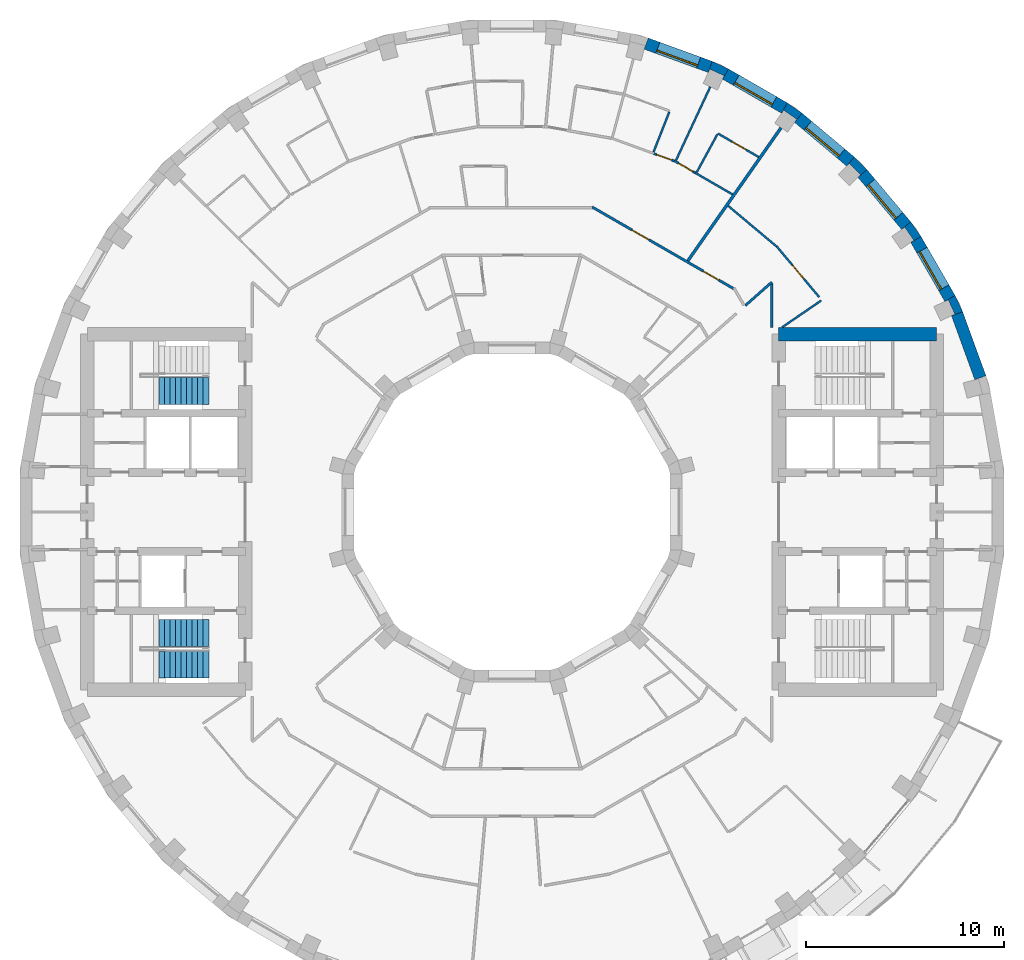
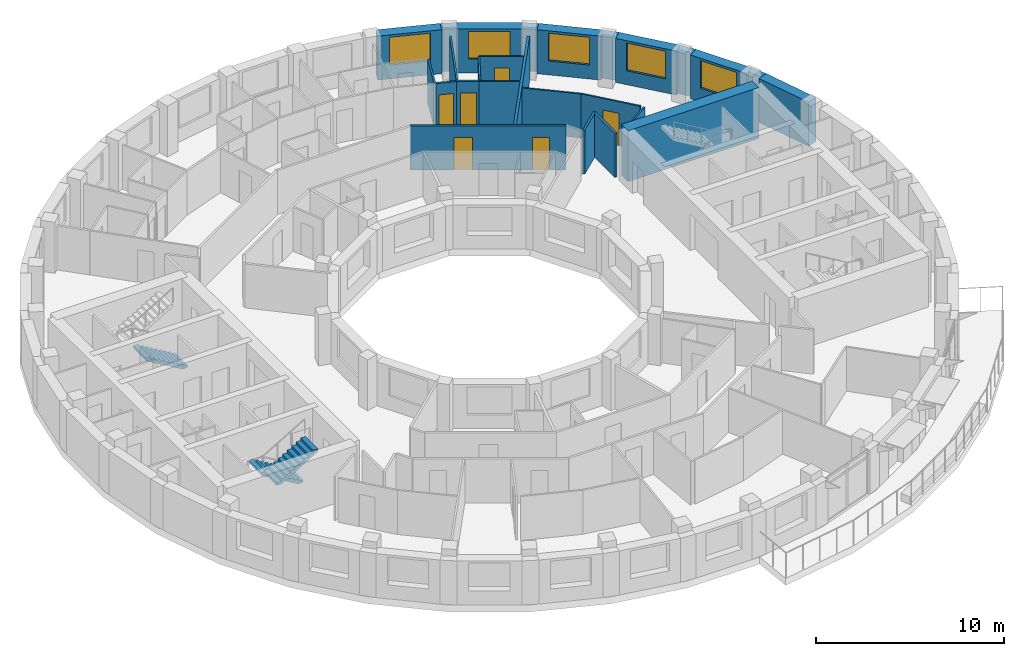
# One storey, part 13 of 15: 26 walls, 6 doors, 5 windows, 3 stair flights, 11 openings, 2 elements without a shape of their own.
"""IFC4 building model written with IfcOpenShell, lengths in metres."""

from ifc_helpers import new_model, si_unit, direction, frame, frame_2d, origin, place, context, subcontext, project, spatial, polyline, rectangle, outline, extrude, material, layer, layer_set, type_object, element, fill, aggregate, save


model = new_model("IFC4")

# Units and contexts
model_context = context("Model", 3, precision=1e-05, world=origin(), true_north=direction((0.0, 1.0)))
body_context = subcontext(model_context, "Body", "Model", "MODEL_VIEW")
ifc_project = project(units=[si_unit("LENGTHUNIT", "METRE"), si_unit("AREAUNIT", "SQUARE_METRE"), si_unit("VOLUMEUNIT", "CUBIC_METRE"), si_unit("PLANEANGLEUNIT", "RADIAN"), si_unit("MASSUNIT", "GRAM", prefix="KILO")], contexts=[model_context])

# Site, building, storey
site_placement = place(None, origin())
site = spatial("IfcSite", under=ifc_project, at=site_placement, CompositionType="ELEMENT")
building_placement = place(site_placement, origin())
building = spatial("IfcBuilding", under=site, at=building_placement, Name="Saqina Gate Tower", CompositionType="ELEMENT")
storey_placement = place(building_placement, frame((0.0, 0.0, 164.10009765625)))
storey = spatial("IfcBuildingStorey", under=building, at=storey_placement, Name="L46", CompositionType="ELEMENT", Elevation=164.10009765625)

# Walls
ifc_material_1 = material(Name="Brick masonry (buff)", Category="masonry")
wall_type_1 = type_object("IfcWallType", Name="BRICK PIER COPING BUFF", PredefinedType="SOLIDWALL", material=ifc_material_1)
wall_1_placement = place(storey_placement, origin())
element("IfcWall", 1, at=wall_1_placement, inside=storey, type_object=wall_type_1, Name="Pier cap L46 column 3", PredefinedType="SOLIDWALL", context=body_context, shape_type="SweptSolid", body=[
    extrude(outline(polyline([(22.4306640625, 10.958740234375), (21.9111328125, 10.65869140625), (22.080810546875, 10.73779296875), (22.4189453125, 10.0126953125), (22.249267578125, 9.93359375), (22.81298828125, 10.138916015625), (22.4306640625, 10.958740234375)])), origin(), (0.0, 0.0, 1.0), 2.849853515625),
])
wall_2_placement = place(storey_placement, origin())
element("IfcWall", 2, at=wall_2_placement, inside=storey, type_object=wall_type_1, Name="Pier cap L46 column 4", PredefinedType="SOLIDWALL", context=body_context, shape_type="SweptSolid", body=[
    extrude(outline(polyline([(20.705810546875, 13.9462890625), (20.18701171875, 14.687255859375), (19.727294921875, 14.301513671875), (19.880859375, 14.408935546875), (20.339599609375, 13.753662109375), (20.186279296875, 13.646240234375), (20.705810546875, 13.9462890625)])), origin(), (0.0, 0.0, 1.0), 2.849853515625),
])
wall_3_placement = place(storey_placement, origin())
element("IfcWall", 3, at=wall_3_placement, inside=storey, type_object=wall_type_1, Name="Pier cap L46 column 5", PredefinedType="SOLIDWALL", context=body_context, shape_type="SweptSolid", body=[
    extrude(outline(polyline([(17.329833984375, 17.969482421875), (16.944091796875, 17.510009765625), (17.07666015625, 17.642333984375), (17.642333984375, 17.07666015625), (17.510009765625, 16.944091796875), (17.969482421875, 17.329833984375), (17.329833984375, 17.969482421875)])), origin(), (0.0, 0.0, 1.0), 2.849853515625),
])
wall_4_placement = place(storey_placement, origin())
element("IfcWall", 4, at=wall_4_placement, inside=storey, type_object=wall_type_1, Name="Pier cap L46 column 6", PredefinedType="SOLIDWALL", context=body_context, shape_type="SweptSolid", body=[
    extrude(outline(polyline([(14.687255859375, 20.18701171875), (13.9462890625, 20.705810546875), (13.646240234375, 20.186279296875), (13.753662109375, 20.339599609375), (14.408935546875, 19.880859375), (14.301513671875, 19.727294921875), (14.687255859375, 20.18701171875)])), origin(), (0.0, 0.0, 1.0), 2.849853515625),
])
wall_5_placement = place(storey_placement, origin())
element("IfcWall", 5, at=wall_5_placement, inside=storey, type_object=wall_type_1, Name="Pier cap L46 column 7", PredefinedType="SOLIDWALL", context=body_context, shape_type="SweptSolid", body=[
    extrude(outline(polyline([(10.138916015625, 22.81298828125), (9.93359375, 22.249267578125), (10.0126953125, 22.4189453125), (10.73779296875, 22.080810546875), (10.65869140625, 21.9111328125), (10.958740234375, 22.4306640625), (10.138916015625, 22.81298828125)])), origin(), (0.0, 0.0, 1.0), 2.849853515625),
])

# Wall, opening, window
ifc_material_2 = material(Name="Brick masonry (buff)", Category="masonry")
ifc_layer_1 = layer(ifc_material_2, 0.60009765625)
ifc_layer_set_1 = layer_set([ifc_layer_1], Name="FW-BRICK-BUFF")
wall_type_2 = type_object("IfcWallType", Name="FW-BRICK-BUFF", PredefinedType="SOLIDWALL", material=ifc_layer_set_1)
wall_6_placement = place(storey_placement, frame((22.1708984375, 10.80859375, 0.0), z_axis=(0.0, 0.0, 1.0), x_axis=(-0.499998129301, 0.86602648383, 0.0)))
wall_6 = element("IfcWall", 6, at=wall_6_placement, inside=storey, type_object=wall_type_2, Name="Facade wall L46 facet 3", PredefinedType="SOLIDWALL", context=body_context, shape_type="SweptSolid", body=[
    extrude(rectangle(XDim=3.44970703125, YDim=0.60009765625, at=frame_2d((1.724853515625, 0.0))), origin(), (0.0, 0.0, 1.0), 2.849853515625),
])
opening_1_placement = place(wall_6_placement, frame((0.625, 0.0, 0.89990234375)))
opening_1 = element("IfcOpeningElement", 7, at=opening_1_placement, cuts=wall_6, Name="Opening G13-W01", PredefinedType="OPENING", context=body_context, shape_type="SweptSolid", body=[
    extrude(rectangle(XDim=2.199951171875, YDim=1.800048828125, at=frame_2d((1.10009765625, 0.89990234375))), frame((0.0, 0.31201171875, 0.0), z_axis=(0.0, -1.0, 0.0), x_axis=(1.0, 0.0, 0.0)), (0.0, 0.0, 1.0), 0.6240234375),
])
ifc_material_3 = material(Name="Aluminium glazing", Category="aluminium")
window_type = type_object("IfcWindowType", Name="WN-C", PartitioningType="SINGLE_PANEL", PredefinedType="WINDOW", material=ifc_material_3)
window_1_placement = place(opening_1_placement, origin())
window_1 = element("IfcWindow", 8, at=window_1_placement, inside=storey, type_object=window_type, Name="Window L46 facet 3", OverallHeight=1.800048828125, OverallWidth=2.199951171875, PartitioningType="SINGLE_PANEL", PredefinedType="WINDOW", context=body_context, shape_type="SweptSolid", body=[
    extrude(rectangle(XDim=2.199951171875, YDim=1.800048828125, at=frame_2d((1.10009765625, 0.89990234375))), frame((0.0, 0.179931640625, 0.0), z_axis=(0.0, -1.0, 0.0), x_axis=(1.0, 0.0, 0.0)), (0.0, 0.0, 1.0), 0.06005859375),
])
fill(opening_1, window_1)

wall_7_placement = place(storey_placement, frame((19.95703125, 14.494384765625, 0.0), z_axis=(0.0, 0.0, 1.0), x_axis=(-0.642770398358, 0.766058884809, 0.0)))
wall_7 = element("IfcWall", 9, at=wall_7_placement, inside=storey, type_object=wall_type_2, Name="Facade wall L46 facet 4", PredefinedType="SOLIDWALL", context=body_context, shape_type="SweptSolid", body=[
    extrude(rectangle(XDim=3.449462890625, YDim=0.60009765625, at=frame_2d((1.724609375, 0.0))), origin(), (0.0, 0.0, 1.0), 2.849853515625),
])
opening_2_placement = place(wall_7_placement, frame((0.625, 0.0, 0.89990234375)))
opening_2 = element("IfcOpeningElement", 10, at=opening_2_placement, cuts=wall_7, Name="Opening G13-W02", PredefinedType="OPENING", context=body_context, shape_type="SweptSolid", body=[
    extrude(rectangle(XDim=2.199951171875, YDim=1.800048828125, at=frame_2d((1.10009765625, 0.89990234375))), frame((0.0, 0.31201171875, 0.0), z_axis=(0.0, -1.0, 0.0), x_axis=(1.0, 0.0, 0.0)), (0.0, 0.0, 1.0), 0.6240234375),
])
window_2_placement = place(opening_2_placement, origin())
window_2 = element("IfcWindow", 11, at=window_2_placement, inside=storey, type_object=window_type, Name="Window L46 facet 4", OverallHeight=1.800048828125, OverallWidth=2.199951171875, PartitioningType="SINGLE_PANEL", PredefinedType="WINDOW", context=body_context, shape_type="SweptSolid", body=[
    extrude(rectangle(XDim=2.199951171875, YDim=1.800048828125, at=frame_2d((1.10009765625, 0.89990234375))), frame((0.0, 0.179931640625, 0.0), z_axis=(0.0, -1.0, 0.0), x_axis=(1.0, 0.0, 0.0)), (0.0, 0.0, 1.0), 0.06005859375),
])
fill(opening_2, window_2)

wall_8_placement = place(storey_placement, frame((17.136962890625, 17.73974609375, 0.0), z_axis=(0.0, 0.0, 1.0), x_axis=(-0.766058884809, 0.642770398358, 0.0)))
wall_8 = element("IfcWall", 12, at=wall_8_placement, inside=storey, type_object=wall_type_2, Name="Facade wall L46 facet 5", PredefinedType="SOLIDWALL", context=body_context, shape_type="SweptSolid", body=[
    extrude(rectangle(XDim=3.449462890625, YDim=0.60009765625, at=frame_2d((1.724609375, 0.0))), origin(), (0.0, 0.0, 1.0), 2.849853515625),
])
opening_3_placement = place(wall_8_placement, frame((0.625, 0.0, 0.89990234375)))
opening_3 = element("IfcOpeningElement", 13, at=opening_3_placement, cuts=wall_8, Name="Opening G13-W03", PredefinedType="OPENING", context=body_context, shape_type="SweptSolid", body=[
    extrude(rectangle(XDim=2.199951171875, YDim=1.800048828125, at=frame_2d((1.10009765625, 0.89990234375))), frame((0.0, 0.31201171875, 0.0), z_axis=(0.0, -1.0, 0.0), x_axis=(1.0, 0.0, 0.0)), (0.0, 0.0, 1.0), 0.6240234375),
])
window_3_placement = place(opening_3_placement, origin())
window_3 = element("IfcWindow", 14, at=window_3_placement, inside=storey, type_object=window_type, Name="Window L46 facet 5", OverallHeight=1.800048828125, OverallWidth=2.199951171875, PartitioningType="SINGLE_PANEL", PredefinedType="WINDOW", context=body_context, shape_type="SweptSolid", body=[
    extrude(rectangle(XDim=2.199951171875, YDim=1.800048828125, at=frame_2d((1.10009765625, 0.89990234375))), frame((0.0, 0.179931640625, 0.0), z_axis=(0.0, -1.0, 0.0), x_axis=(1.0, 0.0, 0.0)), (0.0, 0.0, 1.0), 0.06005859375),
])
fill(opening_3, window_3)

wall_9_placement = place(storey_placement, frame((13.796142578125, 20.446044921875, 0.0), z_axis=(0.0, 0.0, 1.0), x_axis=(-0.86602648383, 0.499998129301, 0.0)))
wall_9 = element("IfcWall", 15, at=wall_9_placement, inside=storey, type_object=wall_type_2, Name="Facade wall L46 facet 6", PredefinedType="SOLIDWALL", context=body_context, shape_type="SweptSolid", body=[
    extrude(rectangle(XDim=3.44970703125, YDim=0.60009765625, at=frame_2d((1.724853515625, 0.0))), origin(), (0.0, 0.0, 1.0), 2.849853515625),
])
opening_4_placement = place(wall_9_placement, frame((0.625, 0.0, 0.89990234375)))
opening_4 = element("IfcOpeningElement", 16, at=opening_4_placement, cuts=wall_9, Name="Opening G13-W04", PredefinedType="OPENING", context=body_context, shape_type="SweptSolid", body=[
    extrude(rectangle(XDim=2.199951171875, YDim=1.800048828125, at=frame_2d((1.10009765625, 0.89990234375))), frame((0.0, 0.31201171875, 0.0), z_axis=(0.0, -1.0, 0.0), x_axis=(1.0, 0.0, 0.0)), (0.0, 0.0, 1.0), 0.6240234375),
])
window_4_placement = place(opening_4_placement, origin())
window_4 = element("IfcWindow", 17, at=window_4_placement, inside=storey, type_object=window_type, Name="Window L46 facet 6", OverallHeight=1.800048828125, OverallWidth=2.199951171875, PartitioningType="SINGLE_PANEL", PredefinedType="WINDOW", context=body_context, shape_type="SweptSolid", body=[
    extrude(rectangle(XDim=2.199951171875, YDim=1.800048828125, at=frame_2d((1.10009765625, 0.89990234375))), frame((0.0, 0.179931640625, 0.0), z_axis=(0.0, -1.0, 0.0), x_axis=(1.0, 0.0, 0.0)), (0.0, 0.0, 1.0), 0.06005859375),
])
fill(opening_4, window_4)

wall_10_placement = place(storey_placement, frame((10.0361328125, 22.531005859375, 0.0), z_axis=(0.0, 0.0, 1.0), x_axis=(-0.93968799822, 0.342032843455, 0.0)))
wall_10 = element("IfcWall", 18, at=wall_10_placement, inside=storey, type_object=wall_type_2, Name="Facade wall L46 facet 7", PredefinedType="SOLIDWALL", context=body_context, shape_type="SweptSolid", body=[
    extrude(rectangle(XDim=3.44970703125, YDim=0.60009765625, at=frame_2d((1.724853515625, 0.0))), origin(), (0.0, 0.0, 1.0), 2.849853515625),
])
opening_5_placement = place(wall_10_placement, frame((0.625, 0.0, 0.89990234375)))
opening_5 = element("IfcOpeningElement", 19, at=opening_5_placement, cuts=wall_10, Name="Opening G13-W05", PredefinedType="OPENING", context=body_context, shape_type="SweptSolid", body=[
    extrude(rectangle(XDim=2.199951171875, YDim=1.800048828125, at=frame_2d((1.10009765625, 0.89990234375))), frame((0.0, 0.31201171875, 0.0), z_axis=(0.0, -1.0, 0.0), x_axis=(1.0, 0.0, 0.0)), (0.0, 0.0, 1.0), 0.6240234375),
])
window_5_placement = place(opening_5_placement, origin())
window_5 = element("IfcWindow", 20, at=window_5_placement, inside=storey, type_object=window_type, Name="Window L46 facet 7", OverallHeight=1.800048828125, OverallWidth=2.199951171875, PartitioningType="SINGLE_PANEL", PredefinedType="WINDOW", context=body_context, shape_type="SweptSolid", body=[
    extrude(rectangle(XDim=2.199951171875, YDim=1.800048828125, at=frame_2d((1.10009765625, 0.89990234375))), frame((0.0, 0.179931640625, 0.0), z_axis=(0.0, -1.0, 0.0), x_axis=(1.0, 0.0, 0.0)), (0.0, 0.0, 1.0), 0.06005859375),
])
fill(opening_5, window_5)

# Wall
ifc_material_4 = material(Name="Glazed ceramic tile (white)", Category="ceramic")
ifc_layer_2 = layer(ifc_material_4, 0.60009765625)
ifc_layer_set_2 = layer_set([ifc_layer_2], Name="FW-TILE-WH")
wall_type_3 = type_object("IfcWallType", Name="FW-TILE-WH", PredefinedType="SOLIDWALL", material=ifc_layer_set_2)
wall_11_placement = place(storey_placement, frame((23.7109375, 6.79443359375, 0.0), z_axis=(0.0, 0.0, 1.0), x_axis=(-0.342032843455, 0.93968799822, 0.0)))
element("IfcWall", 21, at=wall_11_placement, inside=storey, type_object=wall_type_3, Name="Facade wall L46 facet 2", PredefinedType="SOLIDWALL", context=body_context, shape_type="SweptSolid", body=[
    extrude(rectangle(XDim=3.44970703125, YDim=0.60009765625, at=frame_2d((1.724853515625, 0.0))), origin(), (0.0, 0.0, 1.0), 2.849853515625),
])

# Wall, opening, door
ifc_material_5 = material(Name="Gypsum board on steel studs, 100 mm", Category="steel")
ifc_layer_3 = layer(ifc_material_5, 0.10009765625)
ifc_layer_set_3 = layer_set([ifc_layer_3], Name="PARTITION 100")
wall_type_4 = type_object("IfcWallType", Name="PARTITION 100", PredefinedType="PARTITIONING", material=ifc_layer_set_3)
wall_12_placement = place(storey_placement, frame((13.386474609375, 13.4580078125, 0.0), z_axis=(0.0, 0.0, 1.0), x_axis=(0.642690725871, -0.766125727854, 0.0)))
wall_12 = element("IfcWall", 22, at=wall_12_placement, inside=storey, type_object=wall_type_4, Name="PARTITION PW3-17", PredefinedType="PARTITIONING", context=body_context, shape_type="SweptSolid", body=[
    extrude(rectangle(XDim=3.3583984375, YDim=0.10009765625, at=frame_2d((1.67919921875, 0.0))), origin(), (0.0, 0.0, 1.0), 2.849853515625),
])
opening_6_placement = place(wall_12_placement, frame((1.254638671875, 0.0, 0.0)))
opening_6 = element("IfcOpeningElement", 23, at=opening_6_placement, cuts=wall_12, Name="Opening G13-D01", PredefinedType="OPENING", context=body_context, shape_type="SweptSolid", body=[
    extrude(rectangle(XDim=0.89990234375, YDim=2.10009765625, at=frame_2d((0.449951171875, 1.050048828125))), frame((0.0, 0.06201171875, 0.0), z_axis=(0.0, -1.0, 0.0), x_axis=(1.0, 0.0, 0.0)), (0.0, 0.0, 1.0), 0.1240234375),
])
ifc_material_6 = material(Name="Timber door leaf, 900 mm", Category="wood")
door_type_1 = type_object("IfcDoorType", Name="DOOR 900 TIMBER", OperationType="SINGLE_SWING_LEFT", PredefinedType="DOOR", material=ifc_material_6)
door_1_placement = place(opening_6_placement, origin())
door_1 = element("IfcDoor", 24, at=door_1_placement, inside=storey, type_object=door_type_1, Name="DOOR G13-D01", OperationType="SINGLE_SWING_RIGHT", OverallHeight=2.10009765625, OverallWidth=0.89990234375, PredefinedType="DOOR", context=body_context, shape_type="SweptSolid", body=[
    extrude(rectangle(XDim=0.89990234375, YDim=2.10009765625, at=frame_2d((0.449951171875, 1.050048828125))), frame((0.0, 0.02490234375, 0.0), z_axis=(0.0, -1.0, 0.0), x_axis=(1.0, 0.0, 0.0)), (0.0, 0.0, 1.0), 0.050048828125),
])
fill(opening_6, door_1)

# Walls
wall_13_placement = place(storey_placement, frame((10.9423828125, 15.496826171875, 0.0), z_axis=(0.0, 0.0, 1.0), x_axis=(0.766085537519, -0.642738632109, 0.0)))
element("IfcWall", 25, at=wall_13_placement, inside=storey, type_object=wall_type_4, Name="PARTITION PW3-22", PredefinedType="PARTITIONING", context=body_context, shape_type="SweptSolid", body=[
    extrude(rectangle(XDim=3.1826171875, YDim=0.10009765625, at=frame_2d((1.59130859375, 0.0))), origin(), (0.0, 0.0, 1.0), 2.849853515625),
])
wall_14_placement = place(storey_placement, frame((9.277587890625, 17.166015625, 0.0), z_axis=(0.0, 0.0, 1.0), x_axis=(0.865855370195, -0.500294391238, 0.0)))
element("IfcWall", 26, at=wall_14_placement, inside=storey, type_object=wall_type_4, Name="PARTITION PW3-25", PredefinedType="PARTITIONING", context=body_context, shape_type="SweptSolid", body=[
    extrude(rectangle(XDim=2.179931640625, YDim=0.10009765625, at=frame_2d((1.08984375, 0.0))), origin(), (0.0, 0.0, 1.0), 2.849853515625),
])

# Wall, opening, door
wall_15_placement = place(storey_placement, frame((10.419921875, 19.162109375, 0.0), z_axis=(0.0, 0.0, 1.0), x_axis=(0.866129460467, -0.499819725211, 0.0)))
wall_15 = element("IfcWall", 27, at=wall_15_placement, inside=storey, type_object=wall_type_4, Name="PARTITION PW3-26", PredefinedType="PARTITIONING", context=body_context, shape_type="SweptSolid", body=[
    extrude(rectangle(XDim=2.39013671875, YDim=0.10009765625, at=frame_2d((1.195068359375, 0.0))), origin(), (0.0, 0.0, 1.0), 2.849853515625),
])
opening_7_placement = place(wall_15_placement, frame((0.83251953125, 0.0, 0.0)))
opening_7 = element("IfcOpeningElement", 28, at=opening_7_placement, cuts=wall_15, Name="Opening G13-D04", PredefinedType="OPENING", context=body_context, shape_type="SweptSolid", body=[
    extrude(rectangle(XDim=0.800048828125, YDim=2.10009765625, at=frame_2d((0.39990234375, 1.050048828125))), frame((0.0, 0.06201171875, 0.0), z_axis=(0.0, -1.0, 0.0), x_axis=(1.0, 0.0, 0.0)), (0.0, 0.0, 1.0), 0.1240234375),
])
ifc_material_7 = material(Name="Timber door leaf, 800 mm", Category="wood")
door_type_2 = type_object("IfcDoorType", Name="DOOR 800 TIMBER", OperationType="SINGLE_SWING_LEFT", PredefinedType="DOOR", material=ifc_material_7)
door_2_placement = place(opening_7_placement, origin())
door_2 = element("IfcDoor", 29, at=door_2_placement, inside=storey, type_object=door_type_2, Name="DOOR G13-D04", OperationType="SINGLE_SWING_RIGHT", OverallHeight=2.10009765625, OverallWidth=0.800048828125, PredefinedType="DOOR", context=body_context, shape_type="SweptSolid", body=[
    extrude(rectangle(XDim=0.800048828125, YDim=2.10009765625, at=frame_2d((0.39990234375, 1.050048828125))), frame((0.0, 0.02490234375, 0.0), z_axis=(0.0, -1.0, 0.0), x_axis=(1.0, 0.0, 0.0)), (0.0, 0.0, 1.0), 0.050048828125),
])
fill(opening_7, door_2)

# Walls
wall_16_placement = place(storey_placement, frame((13.673095703125, 9.35009765625, 0.0), z_axis=(0.0, 0.0, 1.0), x_axis=(0.82545226585, 0.564471927382, 0.0)))
element("IfcWall", 30, at=wall_16_placement, inside=storey, type_object=wall_type_4, Name="PARTITION PW3-48", PredefinedType="PARTITIONING", context=body_context, shape_type="SweptSolid", body=[
    extrude(rectangle(XDim=2.394775390625, YDim=0.10009765625, at=frame_2d((1.197265625, 0.0))), origin(), (0.0, 0.0, 1.0), 2.849853515625),
])
wall_17_placement = place(storey_placement, frame((9.35107421875, 17.196044921875, 0.0), z_axis=(0.0, 0.0, 1.0), x_axis=(0.477616319427, 0.87856852403, 0.0)))
element("IfcWall", 31, at=wall_17_placement, inside=storey, type_object=wall_type_4, Name="PARTITION PW3-55", PredefinedType="PARTITIONING", context=body_context, shape_type="SweptSolid", body=[
    extrude(rectangle(XDim=2.187744140625, YDim=0.10009765625, at=frame_2d((1.09375, 0.0))), origin(), (0.0, 0.0, 1.0), 2.849853515625),
])
wall_18_placement = place(storey_placement, frame((8.301513671875, 17.8017578125, 0.0), z_axis=(0.0, 0.0, 1.0), x_axis=(0.422546217204, 0.90634137847, 0.0)))
element("IfcWall", 32, at=wall_18_placement, inside=storey, type_object=wall_type_4, Name="PARTITION PW3-57", PredefinedType="PARTITIONING", context=body_context, shape_type="SweptSolid", body=[
    extrude(rectangle(XDim=4.09765625, YDim=0.10009765625, at=frame_2d((2.048828125, 0.0))), origin(), (0.0, 0.0, 1.0), 2.849853515625),
])
wall_19_placement = place(storey_placement, frame((7.161865234375, 18.216064453125, 0.0), z_axis=(0.0, 0.0, 1.0), x_axis=(0.365959579046, 0.930630746593, 0.0)))
element("IfcWall", 33, at=wall_19_placement, inside=storey, type_object=wall_type_4, Name="PARTITION PW3-59", PredefinedType="PARTITIONING", context=body_context, shape_type="SweptSolid", body=[
    extrude(rectangle(XDim=2.188232421875, YDim=0.10009765625, at=frame_2d((1.09423828125, 0.0))), origin(), (0.0, 0.0, 1.0), 2.849853515625),
])

# Wall, openings, doors
ifc_material_8 = material(Name="Gypsum board on steel studs, 125 mm, fire rated", Category="steel")
ifc_layer_4 = layer(ifc_material_8, 0.125)
ifc_layer_set_4 = layer_set([ifc_layer_4], Name="PARTITION EI 30 125")
wall_type_5 = type_object("IfcWallType", Name="PARTITION EI 30 125", PredefinedType="PARTITIONING", material=ifc_layer_set_4)
wall_20_placement = place(storey_placement, frame((4.0634765625, 15.43603515625, 0.0), z_axis=(0.0, 0.0, 1.0), x_axis=(0.866074891173, -0.499914275531, 0.0)))
wall_20 = element("IfcWall", 34, at=wall_20_placement, inside=storey, type_object=wall_type_5, Name="PARTITION PW1-13", PredefinedType="PARTITIONING", context=body_context, shape_type="SweptSolid", body=[
    extrude(rectangle(XDim=8.26318359375, YDim=0.125, at=frame_2d((4.131591796875, 0.0))), origin(), (0.0, 0.0, 1.0), 2.849853515625),
])
opening_8_placement = place(wall_20_placement, frame((6.486083984375, 0.0, 0.0)))
opening_8 = element("IfcOpeningElement", 35, at=opening_8_placement, cuts=wall_20, Name="Opening G13-D02", PredefinedType="OPENING", context=body_context, shape_type="SweptSolid", body=[
    extrude(rectangle(XDim=0.89990234375, YDim=2.10009765625, at=frame_2d((0.449951171875, 1.050048828125))), frame((0.0, 0.074462890625, 0.0), z_axis=(0.0, -1.0, 0.0), x_axis=(1.0, 0.0, 0.0)), (0.0, 0.0, 1.0), 0.14892578125),
])
opening_9_placement = place(wall_20_placement, frame((2.309326171875, 0.0, 0.0)))
opening_9 = element("IfcOpeningElement", 36, at=opening_9_placement, cuts=wall_20, Name="Opening G13-D07", PredefinedType="OPENING", context=body_context, shape_type="SweptSolid", body=[
    extrude(rectangle(XDim=1.0, YDim=2.10009765625, at=frame_2d((0.5, 1.050048828125))), frame((0.0, 0.074462890625, 0.0), z_axis=(0.0, -1.0, 0.0), x_axis=(1.0, 0.0, 0.0)), (0.0, 0.0, 1.0), 0.14892578125),
])
ifc_material_9 = material(Name="Fire door leaf EI 30, 1000 mm")
door_type_3 = type_object("IfcDoorType", Name="DOOR 1000 EI 30", OperationType="SINGLE_SWING_LEFT", PredefinedType="DOOR", material=ifc_material_9)
door_3_placement = place(opening_9_placement, origin())
door_3 = element("IfcDoor", 37, at=door_3_placement, inside=storey, type_object=door_type_3, Name="DOOR G13-D07", OperationType="SINGLE_SWING_LEFT", OverallHeight=2.10009765625, OverallWidth=1.0, PredefinedType="DOOR", context=body_context, shape_type="SweptSolid", body=[
    extrude(rectangle(XDim=1.0, YDim=2.10009765625, at=frame_2d((0.5, 1.050048828125))), frame((0.0, 0.02490234375, 0.0), z_axis=(0.0, -1.0, 0.0), x_axis=(1.0, 0.0, 0.0)), (0.0, 0.0, 1.0), 0.050048828125),
])
fill(opening_9, door_3)
ifc_material_10 = material(Name="Fire door leaf EI 30, 900 mm")
door_type_4 = type_object("IfcDoorType", Name="DOOR 900 EI 30", OperationType="SINGLE_SWING_LEFT", PredefinedType="DOOR", material=ifc_material_10)
door_4_placement = place(opening_8_placement, origin())
door_4 = element("IfcDoor", 38, at=door_4_placement, inside=storey, type_object=door_type_4, Name="DOOR G13-D02", OperationType="SINGLE_SWING_RIGHT", OverallHeight=2.10009765625, OverallWidth=0.89990234375, PredefinedType="DOOR", context=body_context, shape_type="SweptSolid", body=[
    extrude(rectangle(XDim=0.89990234375, YDim=2.10009765625, at=frame_2d((0.449951171875, 1.050048828125))), frame((0.0, 0.02490234375, 0.0), z_axis=(0.0, -1.0, 0.0), x_axis=(1.0, 0.0, 0.0)), (0.0, 0.0, 1.0), 0.050048828125),
])
fill(opening_8, door_4)

# Wall, opening, door
wall_21_placement = place(storey_placement, frame((8.219970703125, 17.77685546875, 0.0), z_axis=(0.0, 0.0, 1.0), x_axis=(0.865945878506, -0.500137716533, 0.0)))
wall_21 = element("IfcWall", 39, at=wall_21_placement, inside=storey, type_object=wall_type_5, Name="PARTITION PW1-14", PredefinedType="PARTITIONING", context=body_context, shape_type="SweptSolid", body=[
    extrude(rectangle(XDim=1.221435546875, YDim=0.125, at=frame_2d((0.61083984375, 0.0))), origin(), (0.0, 0.0, 1.0), 2.849853515625),
])
opening_10_placement = place(wall_21_placement, frame((0.242431640625, 0.0, 0.0)))
opening_10 = element("IfcOpeningElement", 40, at=opening_10_placement, cuts=wall_21, Name="Opening G13-D06", PredefinedType="OPENING", context=body_context, shape_type="SweptSolid", body=[
    extrude(rectangle(XDim=0.85009765625, YDim=2.10009765625, at=frame_2d((0.425048828125, 1.050048828125))), frame((0.0, 0.074462890625, 0.0), z_axis=(0.0, -1.0, 0.0), x_axis=(1.0, 0.0, 0.0)), (0.0, 0.0, 1.0), 0.14892578125),
])
ifc_material_11 = material(Name="Fire door leaf EI 30, 850 mm")
door_type_5 = type_object("IfcDoorType", Name="DOOR 850 EI 30", OperationType="SINGLE_SWING_LEFT", PredefinedType="DOOR", material=ifc_material_11)
door_5_placement = place(opening_10_placement, frame((0.85009765625, 0.0, 0.0), z_axis=(0.0, 0.0, 1.0), x_axis=(-1.0, 0.0, 0.0)))
door_5 = element("IfcDoor", 41, at=door_5_placement, inside=storey, type_object=door_type_5, Name="DOOR G13-D06", OperationType="SINGLE_SWING_RIGHT", OverallHeight=2.10009765625, OverallWidth=0.85009765625, PredefinedType="DOOR", context=body_context, shape_type="SweptSolid", body=[
    extrude(rectangle(XDim=0.85009765625, YDim=2.10009765625, at=frame_2d((0.425048828125, 1.050048828125))), frame((0.0, 0.02490234375, 0.0), z_axis=(0.0, -1.0, 0.0), x_axis=(1.0, 0.0, 0.0)), (0.0, 0.0, 1.0), 0.050048828125),
])
fill(opening_10, door_5)

wall_22_placement = place(storey_placement, frame((7.18603515625, 18.140869140625, 0.0), z_axis=(0.0, 0.0, 1.0), x_axis=(0.939832432098, -0.341635770341, 0.0)))
wall_22 = element("IfcWall", 42, at=wall_22_placement, inside=storey, type_object=wall_type_5, Name="PARTITION PW1-15", PredefinedType="PARTITIONING", context=body_context, shape_type="SweptSolid", body=[
    extrude(rectangle(XDim=1.09619140625, YDim=0.125, at=frame_2d((0.548095703125, 0.0))), origin(), (0.0, 0.0, 1.0), 2.849853515625),
])
opening_11_placement = place(wall_22_placement, frame((0.154296875, 0.0, 0.0)))
opening_11 = element("IfcOpeningElement", 43, at=opening_11_placement, cuts=wall_22, Name="Opening G13-D08", PredefinedType="OPENING", context=body_context, shape_type="SweptSolid", body=[
    extrude(rectangle(XDim=0.800048828125, YDim=2.10009765625, at=frame_2d((0.39990234375, 1.050048828125))), frame((0.0, 0.074462890625, 0.0), z_axis=(0.0, -1.0, 0.0), x_axis=(1.0, 0.0, 0.0)), (0.0, 0.0, 1.0), 0.14892578125),
])
ifc_material_12 = material(Name="Fire door leaf EI 30, 800 mm")
door_type_6 = type_object("IfcDoorType", Name="DOOR 800 EI 30", OperationType="SINGLE_SWING_LEFT", PredefinedType="DOOR", material=ifc_material_12)
door_6_placement = place(opening_11_placement, frame((0.800048828125, 0.0, 0.0), z_axis=(0.0, 0.0, 1.0), x_axis=(-1.0, 0.0, 0.0)))
door_6 = element("IfcDoor", 44, at=door_6_placement, inside=storey, type_object=door_type_6, Name="DOOR G13-D08", OperationType="SINGLE_SWING_LEFT", OverallHeight=2.10009765625, OverallWidth=0.800048828125, PredefinedType="DOOR", context=body_context, shape_type="SweptSolid", body=[
    extrude(rectangle(XDim=0.800048828125, YDim=2.10009765625, at=frame_2d((0.39990234375, 1.050048828125))), frame((0.0, 0.02490234375, 0.0), z_axis=(0.0, -1.0, 0.0), x_axis=(1.0, 0.0, 0.0)), (0.0, 0.0, 1.0), 0.050048828125),
])
fill(opening_11, door_6)

# Walls
wall_23_placement = place(storey_placement, frame((11.816650390625, 10.45458984375, 0.0), z_axis=(0.0, 0.0, 1.0), x_axis=(0.748988708904, 0.662582760065, 0.0)))
element("IfcWall", 45, at=wall_23_placement, inside=storey, type_object=wall_type_5, Name="PARTITION PW1-33", PredefinedType="PARTITIONING", context=body_context, shape_type="SweptSolid", body=[
    extrude(rectangle(XDim=1.780029296875, YDim=0.125, at=frame_2d((0.89013671875, 0.0))), origin(), (0.0, 0.0, 1.0), 2.849853515625),
])
wall_24_placement = place(storey_placement, frame((13.14990234375, 9.35009765625, 0.0), z_axis=(0.0, 0.0, 1.0), x_axis=(0.0, 1.0, 0.0)))
element("IfcWall", 46, at=wall_24_placement, inside=storey, type_object=wall_type_5, Name="PARTITION PW1-39", PredefinedType="PARTITIONING", context=body_context, shape_type="SweptSolid", body=[
    extrude(rectangle(XDim=2.221435546875, YDim=0.125, at=frame_2d((1.11083984375, 0.0))), origin(), (0.0, 0.0, 1.0), 2.849853515625),
])
ifc_material_13 = material(Name="Gypsum board on steel studs, 150 mm, fire rated", Category="steel")
ifc_layer_5 = layer(ifc_material_13, 0.14990234375)
ifc_layer_set_5 = layer_set([ifc_layer_5], Name="PARTITION EI 60 150")
wall_type_6 = type_object("IfcWallType", Name="PARTITION EI 60 150", PredefinedType="PARTITIONING", material=ifc_layer_set_5)
wall_25_placement = place(storey_placement, frame((8.90283203125, 12.714599609375, 0.0), z_axis=(0.0, 0.0, 1.0), x_axis=(0.573585951544, 0.819145381597, 0.0)))
element("IfcWall", 47, at=wall_25_placement, inside=storey, type_object=wall_type_6, Name="PARTITION PW2-03", PredefinedType="PARTITIONING", context=body_context, shape_type="SweptSolid", body=[
    extrude(rectangle(XDim=8.21826171875, YDim=0.14990234375, at=frame_2d((4.109130859375, 0.0))), origin(), (0.0, 0.0, 1.0), 2.849853515625),
])
ifc_material_14 = material(Name="Concrete C60/75", Category="concrete")
ifc_layer_6 = layer(ifc_material_14, 0.699951171875)
ifc_layer_set_6 = layer_set([ifc_layer_6], Name="Concrete C60/75")
wall_type_7 = type_object("IfcWallType", Name="STR-CORE WALL-C-O", PredefinedType="SHEAR", material=ifc_layer_set_6)
wall_26_placement = place(storey_placement, frame((13.5, 9.0, 0.0), z_axis=(0.0, 0.0, 1.0), x_axis=(1.0, 0.0, 0.0)))
element("IfcWall", 48, at=wall_26_placement, inside=storey, type_object=wall_type_7, Name="CORE WALL L46 E-NE", PredefinedType="SHEAR", context=body_context, shape_type="SweptSolid", body=[
    extrude(rectangle(XDim=8.0, YDim=0.699951171875, at=frame_2d((4.0, 0.0))), origin(), (0.0, 0.0, 1.0), 3.2998046875),
])

# Stair, stair flight
ifc_material_15 = material(Name="Concrete C40/50", Category="concrete")
stair_type = type_object("IfcStairType", Name="EXIT STAIR", PredefinedType="HALF_TURN_STAIR", material=ifc_material_15)
stair_1_placement = place(storey_placement, origin())
stair_1 = element("IfcStair", 49, at=stair_1_placement, inside=storey, type_object=stair_type, Name="EXIT STAIR 3", PredefinedType="HALF_TURN_STAIR")
ifc_material_16 = material(Name="Concrete C40/50", Category="concrete")
stair_flight_type = type_object("IfcStairFlightType", Name="EXIT STAIR FLIGHT", PredefinedType="STRAIGHT", material=ifc_material_16)
stair_flight_1_placement = place(storey_placement, frame((-15.35009765625, 6.125, 0.0), z_axis=(0.0, 0.0, 1.0), x_axis=(-1.0, 0.0, 0.0)))
stair_flight_1 = element("IfcStairFlight", 50, at=stair_flight_1_placement, type_object=stair_flight_type, Name="EXIT STAIR 3 FLIGHT 1", NumberOfRisers=10, NumberOfTreads=9, PredefinedType="STRAIGHT", RiserHeight=0.165, TreadLength=0.28, context=body_context, shape_type="SweptSolid", body=[
    extrude(outline(polyline([(0.0, 0.0), (0.0, 0.1650390625), (0.280029296875, 0.1650390625), (0.280029296875, 0.330078125), (0.56005859375, 0.330078125), (0.56005859375, 0.4951171875), (0.840087890625, 0.4951171875), (0.840087890625, 0.659912109375), (1.1201171875, 0.659912109375), (1.1201171875, 0.824951171875), (1.39990234375, 0.824951171875), (1.39990234375, 0.989990234375), (1.679931640625, 0.989990234375), (1.679931640625, 1.155029296875), (1.9599609375, 1.155029296875), (1.9599609375, 1.320068359375), (2.239990234375, 1.320068359375), (2.239990234375, 1.485107421875), (2.52001953125, 1.485107421875), (2.52001953125, 1.64990234375), (2.52001953125, 1.31103515625), (0.295166015625, 0.0), (0.0, 0.0)])), frame((0.0, 0.675048828125, 0.0), z_axis=(0.0, -1.0, 0.0), x_axis=(1.0, 0.0, 0.0)), (0.0, 0.0, 1.0), 1.35009765625),
])
aggregate(stair_1, [stair_flight_1])

# Stair, stair flights
stair_2_placement = place(storey_placement, origin())
stair_2 = element("IfcStair", 51, at=stair_2_placement, inside=storey, type_object=stair_type, Name="EXIT STAIR 4", PredefinedType="HALF_TURN_STAIR")
stair_flight_2_placement = place(storey_placement, frame((-15.35009765625, -6.125, 0.0), z_axis=(0.0, 0.0, 1.0), x_axis=(-1.0, 0.0, 0.0)))
stair_flight_2 = element("IfcStairFlight", 52, at=stair_flight_2_placement, type_object=stair_flight_type, Name="EXIT STAIR 4 FLIGHT 1", NumberOfRisers=10, NumberOfTreads=9, PredefinedType="STRAIGHT", RiserHeight=0.165, TreadLength=0.28, context=body_context, shape_type="SweptSolid", body=[
    extrude(outline(polyline([(0.0, 0.0), (0.0, 0.1650390625), (0.280029296875, 0.1650390625), (0.280029296875, 0.330078125), (0.56005859375, 0.330078125), (0.56005859375, 0.4951171875), (0.840087890625, 0.4951171875), (0.840087890625, 0.659912109375), (1.1201171875, 0.659912109375), (1.1201171875, 0.824951171875), (1.39990234375, 0.824951171875), (1.39990234375, 0.989990234375), (1.679931640625, 0.989990234375), (1.679931640625, 1.155029296875), (1.9599609375, 1.155029296875), (1.9599609375, 1.320068359375), (2.239990234375, 1.320068359375), (2.239990234375, 1.485107421875), (2.52001953125, 1.485107421875), (2.52001953125, 1.64990234375), (2.52001953125, 1.31103515625), (0.295166015625, 0.0), (0.0, 0.0)])), frame((0.0, 0.675048828125, 0.0), z_axis=(0.0, -1.0, 0.0), x_axis=(1.0, 0.0, 0.0)), (0.0, 0.0, 1.0), 1.35009765625),
])
stair_flight_3_placement = place(storey_placement, frame((-17.8701171875, -7.72509765625, 1.64990234375), z_axis=(0.0, 0.0, 1.0), x_axis=(1.0, 0.0, 0.0)))
stair_flight_3 = element("IfcStairFlight", 53, at=stair_flight_3_placement, type_object=stair_flight_type, Name="EXIT STAIR 4 FLIGHT 2", NumberOfRisers=10, NumberOfTreads=9, PredefinedType="STRAIGHT", RiserHeight=0.165, TreadLength=0.28, context=body_context, shape_type="SweptSolid", body=[
    extrude(outline(polyline([(0.0, 0.0), (0.0, 0.1650390625), (0.280029296875, 0.1650390625), (0.280029296875, 0.330078125), (0.56005859375, 0.330078125), (0.56005859375, 0.4951171875), (0.840087890625, 0.4951171875), (0.840087890625, 0.659912109375), (1.1201171875, 0.659912109375), (1.1201171875, 0.824951171875), (1.39990234375, 0.824951171875), (1.39990234375, 0.989990234375), (1.679931640625, 0.989990234375), (1.679931640625, 1.155029296875), (1.9599609375, 1.155029296875), (1.9599609375, 1.320068359375), (2.239990234375, 1.320068359375), (2.239990234375, 1.485107421875), (2.52001953125, 1.485107421875), (2.52001953125, 1.64990234375), (2.52001953125, 1.31103515625), (0.295166015625, 0.0), (0.0, 0.0)])), frame((0.0, 0.675048828125, 0.0), z_axis=(0.0, -1.0, 0.0), x_axis=(1.0, 0.0, 0.0)), (0.0, 0.0, 1.0), 1.35009765625),
])
aggregate(stair_2, [stair_flight_2, stair_flight_3])

save(model, "model.ifc")
